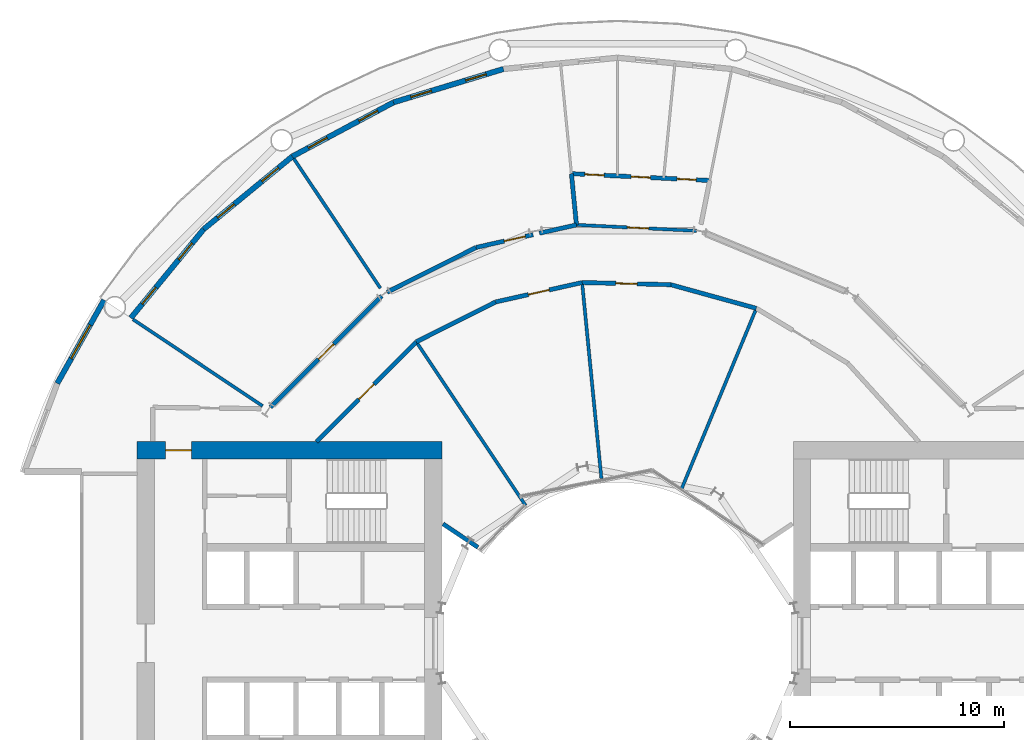
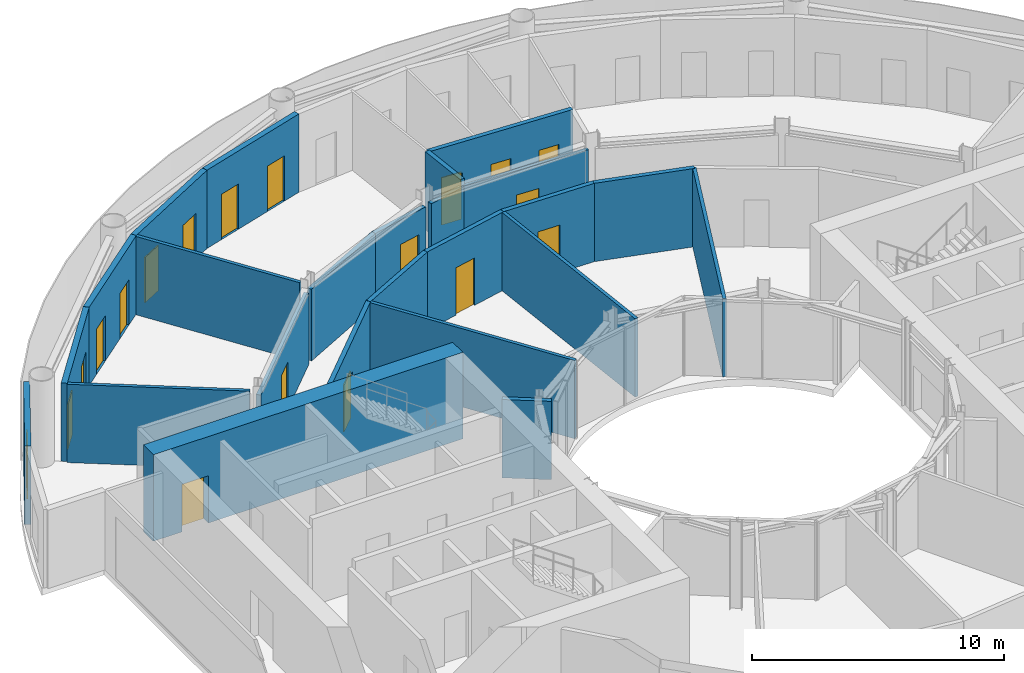
# One storey, part 14 of 19: 24 walls, 18 doors, 1 window, 19 openings.
"""IFC4 building model written with IfcOpenShell, lengths in metres."""

from ifc_helpers import new_model, si_unit, direction, frame, frame_2d, origin, place, context, subcontext, project, spatial, rectangle, extrude, material, layer, layer_set, type_object, element, fill, save


model = new_model("IFC4")

# Units and contexts
model_context = context("Model", 3, precision=1e-05, world=origin(), true_north=direction((0.0, 1.0)))
body_context = subcontext(model_context, "Body", "Model", "MODEL_VIEW")
ifc_project = project(units=[si_unit("LENGTHUNIT", "METRE"), si_unit("AREAUNIT", "SQUARE_METRE"), si_unit("VOLUMEUNIT", "CUBIC_METRE"), si_unit("PLANEANGLEUNIT", "RADIAN"), si_unit("MASSUNIT", "GRAM", prefix="KILO")], contexts=[model_context])

# Site, building, storey
site_placement = place(None, origin())
site = spatial("IfcSite", under=ifc_project, at=site_placement, CompositionType="ELEMENT")
building_placement = place(site_placement, origin())
building = spatial("IfcBuilding", under=site, at=building_placement, Name="Maasbend Ring Residences", CompositionType="ELEMENT")
storey_placement = place(building_placement, frame((0.0, 0.0, 53.300048828125)))
storey = spatial("IfcBuildingStorey", under=building, at=storey_placement, Name="L15", CompositionType="ELEMENT", Elevation=53.300048828125)

# Wall, opening, door
ifc_material_1 = material(Name="Concrete C70/85", Category="concrete")
ifc_layer_1 = layer(ifc_material_1, 0.800048828125)
ifc_layer_set_1 = layer_set([ifc_layer_1], Name="Concrete C70/85")
wall_type_1 = type_object("IfcWallType", Name="CORE WALL 800 C70/85", PredefinedType="SHEAR", material=ifc_layer_set_1)
wall_1_placement = place(storey_placement, frame((-8.199951171875, 9.0, 0.0), z_axis=(0.0, 0.0, 1.0), x_axis=(-1.0, 0.0, 0.0)))
wall_1 = element("IfcWall", 1, at=wall_1_placement, inside=storey, type_object=wall_type_1, Name="L15 core W wall PS", PredefinedType="SHEAR", context=body_context, shape_type="SweptSolid", body=[
    extrude(rectangle(XDim=14.199951171875, YDim=0.800048828125, at=frame_2d((7.10009765625, 0.0))), origin(), (0.0, 0.0, 1.0), 4.199951171875),
])
opening_1_placement = place(wall_1_placement, frame((11.675048828125, 0.0, 0.0)))
opening_1 = element("IfcOpeningElement", 2, at=opening_1_placement, cuts=wall_1, Name="Opening D-W1514", PredefinedType="OPENING", context=body_context, shape_type="SweptSolid", body=[
    extrude(rectangle(XDim=1.199951171875, YDim=2.300048828125, at=frame_2d((0.60009765625, 1.14990234375))), frame((0.0, 0.41015625, 0.0), z_axis=(0.0, -1.0, 0.0), x_axis=(1.0, 0.0, 0.0)), (0.0, 0.0, 1.0), 0.820068359375),
])
ifc_material_2 = material(Name="Steel, powder coated", Category="steel")
door_type_1 = type_object("IfcDoorType", Name="CORRIDOR DOOR 1200 X 2300 FD30S", OperationType="NOTDEFINED", PredefinedType="DOOR", material=ifc_material_2)
door_1_placement = place(opening_1_placement, origin())
door_1 = element("IfcDoor", 3, at=door_1_placement, inside=storey, type_object=door_type_1, Name="Corridor door L15", OperationType="SINGLE_SWING_LEFT", OverallHeight=2.300048828125, OverallWidth=1.199951171875, PredefinedType="DOOR", context=body_context, shape_type="SweptSolid", body=[
    extrude(rectangle(XDim=1.199951171875, YDim=2.300048828125, at=frame_2d((0.60009765625, 1.14990234375))), frame((0.0, 0.02490234375, 0.0), z_axis=(0.0, -1.0, 0.0), x_axis=(1.0, 0.0, 0.0)), (0.0, 0.0, 1.0), 0.050048828125),
])
fill(opening_1, door_1)

# Wall
ifc_material_3 = material(Name="Concrete C30/37", Category="concrete")
ifc_layer_2 = layer(ifc_material_3, 0.199951171875)
ifc_layer_set_2 = layer_set([ifc_layer_2], Name="Concrete C30/37")
wall_type_2 = type_object("IfcWallType", Name="CORRIDOR WALL 200 CONCRETE", PredefinedType="PARTITIONING", material=ifc_layer_set_2)
wall_2_placement = place(storey_placement, frame((-2.156005859375, 21.89404296875, 0.0), z_axis=(0.0, 0.0, 1.0), x_axis=(0.097982433599, -0.995188144376, 0.0)))
element("IfcWall", 4, at=wall_2_placement, inside=storey, type_object=wall_type_2, Name="U-L15-w038", PredefinedType="PARTITIONING", context=body_context, shape_type="SweptSolid", body=[
    extrude(rectangle(XDim=2.3994140625, YDim=0.199951171875, at=frame_2d((1.19970703125, 0.0))), origin(), (0.0, 0.0, 1.0), 3.800048828125),
])

# Wall, opening, door
wall_3_placement = place(storey_placement, frame((-14.041015625, 9.39990234375, 0.0), z_axis=(0.0, 0.0, 1.0), x_axis=(0.707106781187, 0.707106781187, 0.0)))
wall_3 = element("IfcWall", 5, at=wall_3_placement, inside=storey, type_object=wall_type_2, Name="U-L15-w054", PredefinedType="PARTITIONING", context=body_context, shape_type="SweptSolid", body=[
    extrude(rectangle(XDim=6.5791015625, YDim=0.199951171875, at=frame_2d((3.28955078125, 0.0))), origin(), (0.0, 0.0, 1.0), 3.800048828125),
])
opening_2_placement = place(wall_3_placement, frame((2.7890625, 0.0, 0.0)))
opening_2 = element("IfcOpeningElement", 6, at=opening_2_placement, cuts=wall_3, Name="Opening D-1515", PredefinedType="OPENING", context=body_context, shape_type="SweptSolid", body=[
    extrude(rectangle(XDim=1.0, YDim=2.300048828125, at=frame_2d((0.5, 1.14990234375))), frame((0.0, 0.10986328125, 0.0), z_axis=(0.0, -1.0, 0.0), x_axis=(1.0, 0.0, 0.0)), (0.0, 0.0, 1.0), 0.219970703125),
])
ifc_material_4 = material(Name="Timber, painted", Category="wood")
door_type_2 = type_object("IfcDoorType", Name="ROOM DOOR 1000 X 2300", OperationType="NOTDEFINED", PredefinedType="DOOR", material=ifc_material_4)
door_2_placement = place(opening_2_placement, origin())
door_2 = element("IfcDoor", 7, at=door_2_placement, inside=storey, type_object=door_type_2, Name="D-1515", OperationType="SINGLE_SWING_RIGHT", OverallHeight=2.300048828125, OverallWidth=1.0, PredefinedType="DOOR", context=body_context, shape_type="SweptSolid", body=[
    extrude(rectangle(XDim=1.0, YDim=2.300048828125, at=frame_2d((0.5, 1.14990234375))), frame((0.0, 0.02490234375, 0.0), z_axis=(0.0, -1.0, 0.0), x_axis=(1.0, 0.0, 0.0)), (0.0, 0.0, 1.0), 0.050048828125),
])
fill(opening_2, door_2)

# Wall
wall_4_placement = place(storey_placement, frame((-9.388916015625, 14.052001953125, 0.0), z_axis=(0.0, 0.0, 1.0), x_axis=(0.893243942099, 0.449572307759, 0.0)))
element("IfcWall", 8, at=wall_4_placement, inside=storey, type_object=wall_type_2, Name="U-L15-w057", PredefinedType="PARTITIONING", context=body_context, shape_type="SweptSolid", body=[
    extrude(rectangle(XDim=4.137451171875, YDim=0.199951171875, at=frame_2d((2.06884765625, 0.0))), origin(), (0.0, 0.0, 1.0), 3.800048828125),
])

# Wall, opening, door
wall_5_placement = place(storey_placement, frame((-5.693115234375, 15.912109375, 0.0), z_axis=(0.0, 0.0, 1.0), x_axis=(0.975680467384, 0.219197686039, 0.0)))
wall_5 = element("IfcWall", 9, at=wall_5_placement, inside=storey, type_object=wall_type_2, Name="U-L15-w058", PredefinedType="PARTITIONING", context=body_context, shape_type="SweptSolid", body=[
    extrude(rectangle(XDim=4.1376953125, YDim=0.199951171875, at=frame_2d((2.06884765625, 0.0))), origin(), (0.0, 0.0, 1.0), 3.800048828125),
])
opening_3_placement = place(wall_5_placement, frame((1.569091796875, 0.0, 0.0)))
opening_3 = element("IfcOpeningElement", 10, at=opening_3_placement, cuts=wall_5, Name="Opening D-1514", PredefinedType="OPENING", context=body_context, shape_type="SweptSolid", body=[
    extrude(rectangle(XDim=1.0, YDim=2.300048828125, at=frame_2d((0.5, 1.14990234375))), frame((0.0, 0.10986328125, 0.0), z_axis=(0.0, -1.0, 0.0), x_axis=(1.0, 0.0, 0.0)), (0.0, 0.0, 1.0), 0.219970703125),
])
door_3_placement = place(opening_3_placement, origin())
door_3 = element("IfcDoor", 11, at=door_3_placement, inside=storey, type_object=door_type_2, Name="D-1514", OperationType="SINGLE_SWING_RIGHT", OverallHeight=2.300048828125, OverallWidth=1.0, PredefinedType="DOOR", context=body_context, shape_type="SweptSolid", body=[
    extrude(rectangle(XDim=1.0, YDim=2.300048828125, at=frame_2d((0.5, 1.14990234375))), frame((0.0, 0.02490234375, 0.0), z_axis=(0.0, -1.0, 0.0), x_axis=(1.0, 0.0, 0.0)), (0.0, 0.0, 1.0), 0.050048828125),
])
fill(opening_3, door_3)

wall_6_placement = place(storey_placement, frame((-1.656005859375, 16.819091796875, 0.0), z_axis=(0.0, 0.0, 1.0), x_axis=(0.999695739034, -0.024666360836, 0.0)))
wall_6 = element("IfcWall", 12, at=wall_6_placement, inside=storey, type_object=wall_type_2, Name="U-L15-w059", PredefinedType="PARTITIONING", context=body_context, shape_type="SweptSolid", body=[
    extrude(rectangle(XDim=4.13720703125, YDim=0.199951171875, at=frame_2d((2.068603515625, 0.0))), origin(), (0.0, 0.0, 1.0), 3.800048828125),
])
opening_4_placement = place(wall_6_placement, frame((1.569091796875, 0.0, 0.0)))
opening_4 = element("IfcOpeningElement", 13, at=opening_4_placement, cuts=wall_6, Name="Opening D-1513", PredefinedType="OPENING", context=body_context, shape_type="SweptSolid", body=[
    extrude(rectangle(XDim=1.0, YDim=2.300048828125, at=frame_2d((0.5, 1.14990234375))), frame((0.0, 0.10986328125, 0.0), z_axis=(0.0, -1.0, 0.0), x_axis=(1.0, 0.0, 0.0)), (0.0, 0.0, 1.0), 0.219970703125),
])
door_4_placement = place(opening_4_placement, origin())
door_4 = element("IfcDoor", 14, at=door_4_placement, inside=storey, type_object=door_type_2, Name="D-1513", OperationType="SINGLE_SWING_LEFT", OverallHeight=2.300048828125, OverallWidth=1.0, PredefinedType="DOOR", context=body_context, shape_type="SweptSolid", body=[
    extrude(rectangle(XDim=1.0, YDim=2.300048828125, at=frame_2d((0.5, 1.14990234375))), frame((0.0, 0.02490234375, 0.0), z_axis=(0.0, -1.0, 0.0), x_axis=(1.0, 0.0, 0.0)), (0.0, 0.0, 1.0), 0.050048828125),
])
fill(opening_4, door_4)

# Wall
wall_7_placement = place(storey_placement, frame((2.47998046875, 16.717041015625, 0.0), z_axis=(0.0, 0.0, 1.0), x_axis=(0.96379724587, -0.266636210694, 0.0)))
element("IfcWall", 15, at=wall_7_placement, inside=storey, type_object=wall_type_2, Name="U-L15-w060", PredefinedType="PARTITIONING", context=body_context, shape_type="SweptSolid", body=[
    extrude(rectangle(XDim=4.13671875, YDim=0.199951171875, at=frame_2d((2.068359375, 0.0))), origin(), (0.0, 0.0, 1.0), 3.800048828125),
])

# Wall, opening, door
wall_8_placement = place(storey_placement, frame((-16.18701171875, 10.9990234375, 0.0), z_axis=(0.0, 0.0, 1.0), x_axis=(0.707106781187, 0.707106781187, 0.0)))
wall_8 = element("IfcWall", 16, at=wall_8_placement, inside=storey, type_object=wall_type_2, Name="U-L15-w061", PredefinedType="PARTITIONING", context=body_context, shape_type="SweptSolid", body=[
    extrude(rectangle(XDim=7.3369140625, YDim=0.199951171875, at=frame_2d((3.66845703125, 0.0))), origin(), (0.0, 0.0, 1.0), 3.47998046875),
])
opening_5_placement = place(wall_8_placement, frame((3.16796875, 0.0, 0.0)))
opening_5 = element("IfcOpeningElement", 17, at=opening_5_placement, cuts=wall_8, Name="Opening D-1511", PredefinedType="OPENING", context=body_context, shape_type="SweptSolid", body=[
    extrude(rectangle(XDim=1.0, YDim=2.300048828125, at=frame_2d((0.5, 1.14990234375))), frame((0.0, 0.10986328125, 0.0), z_axis=(0.0, -1.0, 0.0), x_axis=(1.0, 0.0, 0.0)), (0.0, 0.0, 1.0), 0.219970703125),
])
door_5_placement = place(opening_5_placement, origin())
door_5 = element("IfcDoor", 18, at=door_5_placement, inside=storey, type_object=door_type_2, Name="D-1511", OperationType="SINGLE_SWING_RIGHT", OverallHeight=2.300048828125, OverallWidth=1.0, PredefinedType="DOOR", context=body_context, shape_type="SweptSolid", body=[
    extrude(rectangle(XDim=1.0, YDim=2.300048828125, at=frame_2d((0.5, 1.14990234375))), frame((0.0, 0.02490234375, 0.0), z_axis=(0.0, -1.0, 0.0), x_axis=(1.0, 0.0, 0.0)), (0.0, 0.0, 1.0), 0.050048828125),
])
fill(opening_5, door_5)

# Wall
wall_9_placement = place(storey_placement, frame((-10.751953125, 16.365966796875, 0.0), z_axis=(0.0, 0.0, 1.0), x_axis=(0.893246691773, 0.449566844459, 0.0)))
element("IfcWall", 19, at=wall_9_placement, inside=storey, type_object=wall_type_2, Name="U-L15-w065", PredefinedType="PARTITIONING", context=body_context, shape_type="SweptSolid", body=[
    extrude(rectangle(XDim=4.644775390625, YDim=0.199951171875, at=frame_2d((2.322265625, 0.0))), origin(), (0.0, 0.0, 1.0), 3.47998046875),
])

# Wall, opening, door
wall_10_placement = place(storey_placement, frame((-6.60302734375, 18.4541015625, 0.0), z_axis=(0.0, 0.0, 1.0), x_axis=(0.975697485794, 0.219121920893, 0.0)))
wall_10 = element("IfcWall", 20, at=wall_10_placement, inside=storey, type_object=wall_type_2, Name="U-L15-w066", PredefinedType="PARTITIONING", context=body_context, shape_type="SweptSolid", body=[
    extrude(rectangle(XDim=2.72412109375, YDim=0.199951171875, at=frame_2d((1.362060546875, 0.0))), origin(), (0.0, 0.0, 1.0), 3.47998046875),
])
opening_6_placement = place(wall_10_placement, frame((1.35009765625, 0.0, 0.0)))
opening_6 = element("IfcOpeningElement", 21, at=opening_6_placement, cuts=wall_10, Name="Opening D-1510", PredefinedType="OPENING", context=body_context, shape_type="SweptSolid", body=[
    extrude(rectangle(XDim=1.0, YDim=2.300048828125, at=frame_2d((0.5, 1.14990234375))), frame((0.0, 0.10986328125, 0.0), z_axis=(0.0, -1.0, 0.0), x_axis=(1.0, 0.0, 0.0)), (0.0, 0.0, 1.0), 0.219970703125),
])
door_6_placement = place(opening_6_placement, origin())
door_6 = element("IfcDoor", 22, at=door_6_placement, inside=storey, type_object=door_type_2, Name="D-1510", OperationType="SINGLE_SWING_RIGHT", OverallHeight=2.300048828125, OverallWidth=1.0, PredefinedType="DOOR", context=body_context, shape_type="SweptSolid", body=[
    extrude(rectangle(XDim=1.0, YDim=2.300048828125, at=frame_2d((0.5, 1.14990234375))), frame((0.0, 0.02490234375, 0.0), z_axis=(0.0, -1.0, 0.0), x_axis=(1.0, 0.0, 0.0)), (0.0, 0.0, 1.0), 0.050048828125),
])
fill(opening_6, door_6)

# Wall
wall_11_placement = place(storey_placement, frame((-3.64697265625, 19.117919921875, 0.0), z_axis=(0.0, 0.0, 1.0), x_axis=(0.975631915864, 0.219413684049, 0.0)))
element("IfcWall", 23, at=wall_11_placement, inside=storey, type_object=wall_type_2, Name="U-L15-w067", PredefinedType="PARTITIONING", context=body_context, shape_type="SweptSolid", body=[
    extrude(rectangle(XDim=1.769287109375, YDim=0.199951171875, at=frame_2d((0.884765625, 0.0))), origin(), (0.0, 0.0, 1.0), 3.47998046875),
])

# Wall, openings, doors
wall_12_placement = place(storey_placement, frame((-2.156005859375, 21.89404296875, 0.0), z_axis=(0.0, 0.0, 1.0), x_axis=(0.998785221138, -0.049275572418, 0.0)))
wall_12 = element("IfcWall", 24, at=wall_12_placement, inside=storey, type_object=wall_type_2, Name="U-L15-w070", PredefinedType="PARTITIONING", context=body_context, shape_type="SweptSolid", body=[
    extrude(rectangle(XDim=6.455810546875, YDim=0.199951171875, at=frame_2d((3.22802734375, 0.0))), origin(), (0.0, 0.0, 1.0), 3.800048828125),
])
opening_7_placement = place(wall_12_placement, frame((4.929931640625, 0.0, 0.0)))
opening_7 = element("IfcOpeningElement", 25, at=opening_7_placement, cuts=wall_12, Name="Opening D-1502", PredefinedType="OPENING", context=body_context, shape_type="SweptSolid", body=[
    extrude(rectangle(XDim=0.89990234375, YDim=2.300048828125, at=frame_2d((0.449951171875, 1.14990234375))), frame((0.0, 0.10986328125, 0.0), z_axis=(0.0, -1.0, 0.0), x_axis=(1.0, 0.0, 0.0)), (0.0, 0.0, 1.0), 0.219970703125),
])
opening_8_placement = place(wall_12_placement, frame((2.7880859375, 0.0, 0.0)))
opening_8 = element("IfcOpeningElement", 26, at=opening_8_placement, cuts=wall_12, Name="Opening D-1503", PredefinedType="OPENING", context=body_context, shape_type="SweptSolid", body=[
    extrude(rectangle(XDim=0.89990234375, YDim=2.300048828125, at=frame_2d((0.449951171875, 1.14990234375))), frame((0.0, 0.10986328125, 0.0), z_axis=(0.0, -1.0, 0.0), x_axis=(1.0, 0.0, 0.0)), (0.0, 0.0, 1.0), 0.219970703125),
])
opening_9_placement = place(wall_12_placement, frame((0.6259765625, 0.0, 0.0)))
opening_9 = element("IfcOpeningElement", 27, at=opening_9_placement, cuts=wall_12, Name="Opening D-1504", PredefinedType="OPENING", context=body_context, shape_type="SweptSolid", body=[
    extrude(rectangle(XDim=0.89990234375, YDim=2.300048828125, at=frame_2d((0.449951171875, 1.14990234375))), frame((0.0, 0.10986328125, 0.0), z_axis=(0.0, -1.0, 0.0), x_axis=(1.0, 0.0, 0.0)), (0.0, 0.0, 1.0), 0.219970703125),
])
ifc_material_5 = material(Name="Timber, painted", Category="wood")
door_type_3 = type_object("IfcDoorType", Name="INTERNAL DOOR 900 X 2300", OperationType="NOTDEFINED", PredefinedType="DOOR", material=ifc_material_5)
door_7_placement = place(opening_7_placement, origin())
door_7 = element("IfcDoor", 28, at=door_7_placement, inside=storey, type_object=door_type_3, Name="D-1502", OperationType="SINGLE_SWING_RIGHT", OverallHeight=2.300048828125, OverallWidth=0.89990234375, PredefinedType="DOOR", context=body_context, shape_type="SweptSolid", body=[
    extrude(rectangle(XDim=0.89990234375, YDim=2.300048828125, at=frame_2d((0.449951171875, 1.14990234375))), frame((0.0, 0.02490234375, 0.0), z_axis=(0.0, -1.0, 0.0), x_axis=(1.0, 0.0, 0.0)), (0.0, 0.0, 1.0), 0.050048828125),
])
fill(opening_7, door_7)
door_8_placement = place(opening_8_placement, origin())
door_8 = element("IfcDoor", 29, at=door_8_placement, inside=storey, type_object=door_type_3, Name="D-1503", OperationType="SINGLE_SWING_RIGHT", OverallHeight=2.300048828125, OverallWidth=0.89990234375, PredefinedType="DOOR", context=body_context, shape_type="SweptSolid", body=[
    extrude(rectangle(XDim=0.89990234375, YDim=2.300048828125, at=frame_2d((0.449951171875, 1.14990234375))), frame((0.0, 0.02490234375, 0.0), z_axis=(0.0, -1.0, 0.0), x_axis=(1.0, 0.0, 0.0)), (0.0, 0.0, 1.0), 0.050048828125),
])
fill(opening_8, door_8)
door_9_placement = place(opening_9_placement, origin())
door_9 = element("IfcDoor", 30, at=door_9_placement, inside=storey, type_object=door_type_3, Name="D-1504", OperationType="SINGLE_SWING_LEFT", OverallHeight=2.300048828125, OverallWidth=0.89990234375, PredefinedType="DOOR", context=body_context, shape_type="SweptSolid", body=[
    extrude(rectangle(XDim=0.89990234375, YDim=2.300048828125, at=frame_2d((0.449951171875, 1.14990234375))), frame((0.0, 0.02490234375, 0.0), z_axis=(0.0, -1.0, 0.0), x_axis=(1.0, 0.0, 0.0)), (0.0, 0.0, 1.0), 0.050048828125),
])
fill(opening_9, door_9)

ifc_material_6 = material(Name="Aluminium clad insulated panel", Category="aluminium")
ifc_layer_3 = layer(ifc_material_6, 0.25)
ifc_layer_set_3 = layer_set([ifc_layer_3], Name="EW-GL")
wall_type_3 = type_object("IfcWallType", Name="EW-GL", PredefinedType="SOLIDWALL", material=ifc_layer_set_3)
wall_13_placement = place(storey_placement, frame((-5.325927734375, 26.77490234375, 0.0), z_axis=(0.0, 0.0, 1.0), x_axis=(-0.956965678721, -0.290201119486, 0.0)))
wall_13 = element("IfcWall", 31, at=wall_13_placement, inside=storey, type_object=wall_type_3, Name="External wall N07", PredefinedType="SOLIDWALL", context=body_context, shape_type="SweptSolid", body=[
    extrude(rectangle(XDim=5.351318359375, YDim=0.25, at=frame_2d((2.67578125, 0.0))), origin(), (0.0, 0.0, 1.0), 3.800048828125),
])
opening_10_placement = place(wall_13_placement, frame((0.841064453125, 0.0, 0.0)))
opening_10 = element("IfcOpeningElement", 32, at=opening_10_placement, cuts=wall_13, Name="Opening D-LG", PredefinedType="OPENING", context=body_context, shape_type="SweptSolid", body=[
    extrude(rectangle(XDim=1.0, YDim=2.199951171875, at=frame_2d((0.5, 1.10009765625))), frame((0.0, 0.135009765625, 0.0), z_axis=(0.0, -1.0, 0.0), x_axis=(1.0, 0.0, 0.0)), (0.0, 0.0, 1.0), 0.27001953125),
])
opening_11_placement = place(wall_13_placement, frame((3.510498046875, 0.0, 0.0)))
opening_11 = element("IfcOpeningElement", 33, at=opening_11_placement, cuts=wall_13, Name="Opening D-LG", PredefinedType="OPENING", context=body_context, shape_type="SweptSolid", body=[
    extrude(rectangle(XDim=1.0, YDim=2.199951171875, at=frame_2d((0.5, 1.10009765625))), frame((0.0, 0.135009765625, 0.0), z_axis=(0.0, -1.0, 0.0), x_axis=(1.0, 0.0, 0.0)), (0.0, 0.0, 1.0), 0.27001953125),
])
ifc_material_7 = material(Name="Aluminium and clear glass", Category="aluminium")
door_type_4 = type_object("IfcDoorType", Name="D-LG", OperationType="SINGLE_SWING_LEFT", PredefinedType="DOOR", material=ifc_material_7)
door_10_placement = place(opening_10_placement, origin())
door_10 = element("IfcDoor", 34, at=door_10_placement, inside=storey, type_object=door_type_4, Name="Loggia door N13", OperationType="SINGLE_SWING_LEFT", OverallHeight=2.199951171875, OverallWidth=1.0, PredefinedType="DOOR", context=body_context, shape_type="SweptSolid", body=[
    extrude(rectangle(XDim=1.0, YDim=2.199951171875, at=frame_2d((0.5, 1.10009765625))), frame((0.0, 0.02490234375, 0.0), z_axis=(0.0, -1.0, 0.0), x_axis=(1.0, 0.0, 0.0)), (0.0, 0.0, 1.0), 0.050048828125),
])
fill(opening_10, door_10)
door_11_placement = place(opening_11_placement, origin())
door_11 = element("IfcDoor", 35, at=door_11_placement, inside=storey, type_object=door_type_4, Name="Loggia door N14", OperationType="SINGLE_SWING_LEFT", OverallHeight=2.199951171875, OverallWidth=1.0, PredefinedType="DOOR", context=body_context, shape_type="SweptSolid", body=[
    extrude(rectangle(XDim=1.0, YDim=2.199951171875, at=frame_2d((0.5, 1.10009765625))), frame((0.0, 0.02490234375, 0.0), z_axis=(0.0, -1.0, 0.0), x_axis=(1.0, 0.0, 0.0)), (0.0, 0.0, 1.0), 0.050048828125),
])
fill(opening_11, door_11)

wall_14_placement = place(storey_placement, frame((-10.447021484375, 25.221923828125, 0.0), z_axis=(0.0, 0.0, 1.0), x_axis=(-0.881915646801, -0.471407246368, 0.0)))
wall_14 = element("IfcWall", 36, at=wall_14_placement, inside=storey, type_object=wall_type_3, Name="External wall N08", PredefinedType="SOLIDWALL", context=body_context, shape_type="SweptSolid", body=[
    extrude(rectangle(XDim=5.35205078125, YDim=0.25, at=frame_2d((2.676025390625, 0.0))), origin(), (0.0, 0.0, 1.0), 3.800048828125),
])
opening_12_placement = place(wall_14_placement, frame((0.841064453125, 0.0, 0.0)))
opening_12 = element("IfcOpeningElement", 37, at=opening_12_placement, cuts=wall_14, Name="Opening D-LG", PredefinedType="OPENING", context=body_context, shape_type="SweptSolid", body=[
    extrude(rectangle(XDim=1.0, YDim=2.199951171875, at=frame_2d((0.5, 1.10009765625))), frame((0.0, 0.135009765625, 0.0), z_axis=(0.0, -1.0, 0.0), x_axis=(1.0, 0.0, 0.0)), (0.0, 0.0, 1.0), 0.27001953125),
])
opening_13_placement = place(wall_14_placement, frame((3.510498046875, 0.0, 0.0)))
opening_13 = element("IfcOpeningElement", 38, at=opening_13_placement, cuts=wall_14, Name="Opening D-LG", PredefinedType="OPENING", context=body_context, shape_type="SweptSolid", body=[
    extrude(rectangle(XDim=1.0, YDim=2.199951171875, at=frame_2d((0.5, 1.10009765625))), frame((0.0, 0.135009765625, 0.0), z_axis=(0.0, -1.0, 0.0), x_axis=(1.0, 0.0, 0.0)), (0.0, 0.0, 1.0), 0.27001953125),
])
door_12_placement = place(opening_12_placement, origin())
door_12 = element("IfcDoor", 39, at=door_12_placement, inside=storey, type_object=door_type_4, Name="Loggia door N15", OperationType="SINGLE_SWING_LEFT", OverallHeight=2.199951171875, OverallWidth=1.0, PredefinedType="DOOR", context=body_context, shape_type="SweptSolid", body=[
    extrude(rectangle(XDim=1.0, YDim=2.199951171875, at=frame_2d((0.5, 1.10009765625))), frame((0.0, 0.02490234375, 0.0), z_axis=(0.0, -1.0, 0.0), x_axis=(1.0, 0.0, 0.0)), (0.0, 0.0, 1.0), 0.050048828125),
])
fill(opening_12, door_12)
door_13_placement = place(opening_13_placement, origin())
door_13 = element("IfcDoor", 40, at=door_13_placement, inside=storey, type_object=door_type_4, Name="Loggia door N16", OperationType="SINGLE_SWING_LEFT", OverallHeight=2.199951171875, OverallWidth=1.0, PredefinedType="DOOR", context=body_context, shape_type="SweptSolid", body=[
    extrude(rectangle(XDim=1.0, YDim=2.199951171875, at=frame_2d((0.5, 1.10009765625))), frame((0.0, 0.02490234375, 0.0), z_axis=(0.0, -1.0, 0.0), x_axis=(1.0, 0.0, 0.0)), (0.0, 0.0, 1.0), 0.050048828125),
])
fill(opening_13, door_13)

wall_15_placement = place(storey_placement, frame((-15.1669921875, 22.698974609375, 0.0), z_axis=(0.0, 0.0, 1.0), x_axis=(-0.773019449054, -0.634382322723, 0.0)))
wall_15 = element("IfcWall", 41, at=wall_15_placement, inside=storey, type_object=wall_type_3, Name="External wall N09", PredefinedType="SOLIDWALL", context=body_context, shape_type="SweptSolid", body=[
    extrude(rectangle(XDim=5.351806640625, YDim=0.25, at=frame_2d((2.67578125, 0.0))), origin(), (0.0, 0.0, 1.0), 3.800048828125),
])
opening_14_placement = place(wall_15_placement, frame((0.841064453125, 0.0, 0.0)))
opening_14 = element("IfcOpeningElement", 42, at=opening_14_placement, cuts=wall_15, Name="Opening D-LG", PredefinedType="OPENING", context=body_context, shape_type="SweptSolid", body=[
    extrude(rectangle(XDim=1.0, YDim=2.199951171875, at=frame_2d((0.5, 1.10009765625))), frame((0.0, 0.135009765625, 0.0), z_axis=(0.0, -1.0, 0.0), x_axis=(1.0, 0.0, 0.0)), (0.0, 0.0, 1.0), 0.27001953125),
])
opening_15_placement = place(wall_15_placement, frame((3.510498046875, 0.0, 0.0)))
opening_15 = element("IfcOpeningElement", 43, at=opening_15_placement, cuts=wall_15, Name="Opening D-LG", PredefinedType="OPENING", context=body_context, shape_type="SweptSolid", body=[
    extrude(rectangle(XDim=1.0, YDim=2.199951171875, at=frame_2d((0.5, 1.10009765625))), frame((0.0, 0.135009765625, 0.0), z_axis=(0.0, -1.0, 0.0), x_axis=(1.0, 0.0, 0.0)), (0.0, 0.0, 1.0), 0.27001953125),
])
door_14_placement = place(opening_14_placement, origin())
door_14 = element("IfcDoor", 44, at=door_14_placement, inside=storey, type_object=door_type_4, Name="Loggia door N17", OperationType="SINGLE_SWING_LEFT", OverallHeight=2.199951171875, OverallWidth=1.0, PredefinedType="DOOR", context=body_context, shape_type="SweptSolid", body=[
    extrude(rectangle(XDim=1.0, YDim=2.199951171875, at=frame_2d((0.5, 1.10009765625))), frame((0.0, 0.02490234375, 0.0), z_axis=(0.0, -1.0, 0.0), x_axis=(1.0, 0.0, 0.0)), (0.0, 0.0, 1.0), 0.050048828125),
])
fill(opening_14, door_14)
door_15_placement = place(opening_15_placement, origin())
door_15 = element("IfcDoor", 45, at=door_15_placement, inside=storey, type_object=door_type_4, Name="Loggia door N18", OperationType="SINGLE_SWING_LEFT", OverallHeight=2.199951171875, OverallWidth=1.0, PredefinedType="DOOR", context=body_context, shape_type="SweptSolid", body=[
    extrude(rectangle(XDim=1.0, YDim=2.199951171875, at=frame_2d((0.5, 1.10009765625))), frame((0.0, 0.02490234375, 0.0), z_axis=(0.0, -1.0, 0.0), x_axis=(1.0, 0.0, 0.0)), (0.0, 0.0, 1.0), 0.050048828125),
])
fill(opening_15, door_15)

wall_16_placement = place(storey_placement, frame((-19.303955078125, 19.303955078125, 0.0), z_axis=(0.0, 0.0, 1.0), x_axis=(-0.634382322723, -0.773019449054, 0.0)))
wall_16 = element("IfcWall", 46, at=wall_16_placement, inside=storey, type_object=wall_type_3, Name="External wall N10", PredefinedType="SOLIDWALL", context=body_context, shape_type="SweptSolid", body=[
    extrude(rectangle(XDim=5.351806640625, YDim=0.25, at=frame_2d((2.67578125, 0.0))), origin(), (0.0, 0.0, 1.0), 3.800048828125),
])
opening_16_placement = place(wall_16_placement, frame((0.841064453125, 0.0, 0.0)))
opening_16 = element("IfcOpeningElement", 47, at=opening_16_placement, cuts=wall_16, Name="Opening D-LG", PredefinedType="OPENING", context=body_context, shape_type="SweptSolid", body=[
    extrude(rectangle(XDim=1.0, YDim=2.199951171875, at=frame_2d((0.5, 1.10009765625))), frame((0.0, 0.135009765625, 0.0), z_axis=(0.0, -1.0, 0.0), x_axis=(1.0, 0.0, 0.0)), (0.0, 0.0, 1.0), 0.27001953125),
])
opening_17_placement = place(wall_16_placement, frame((3.510498046875, 0.0, 0.0)))
opening_17 = element("IfcOpeningElement", 48, at=opening_17_placement, cuts=wall_16, Name="Opening D-LG", PredefinedType="OPENING", context=body_context, shape_type="SweptSolid", body=[
    extrude(rectangle(XDim=1.0, YDim=2.199951171875, at=frame_2d((0.5, 1.10009765625))), frame((0.0, 0.135009765625, 0.0), z_axis=(0.0, -1.0, 0.0), x_axis=(1.0, 0.0, 0.0)), (0.0, 0.0, 1.0), 0.27001953125),
])
door_16_placement = place(opening_16_placement, origin())
door_16 = element("IfcDoor", 49, at=door_16_placement, inside=storey, type_object=door_type_4, Name="Loggia door N19", OperationType="SINGLE_SWING_LEFT", OverallHeight=2.199951171875, OverallWidth=1.0, PredefinedType="DOOR", context=body_context, shape_type="SweptSolid", body=[
    extrude(rectangle(XDim=1.0, YDim=2.199951171875, at=frame_2d((0.5, 1.10009765625))), frame((0.0, 0.02490234375, 0.0), z_axis=(0.0, -1.0, 0.0), x_axis=(1.0, 0.0, 0.0)), (0.0, 0.0, 1.0), 0.050048828125),
])
fill(opening_16, door_16)
door_17_placement = place(opening_17_placement, origin())
door_17 = element("IfcDoor", 50, at=door_17_placement, inside=storey, type_object=door_type_4, Name="Loggia door N20", OperationType="SINGLE_SWING_LEFT", OverallHeight=2.199951171875, OverallWidth=1.0, PredefinedType="DOOR", context=body_context, shape_type="SweptSolid", body=[
    extrude(rectangle(XDim=1.0, YDim=2.199951171875, at=frame_2d((0.5, 1.10009765625))), frame((0.0, 0.02490234375, 0.0), z_axis=(0.0, -1.0, 0.0), x_axis=(1.0, 0.0, 0.0)), (0.0, 0.0, 1.0), 0.050048828125),
])
fill(opening_17, door_17)

# Wall, opening, window
ifc_material_8 = material(Name="Aluminium clad insulated panel", Category="aluminium")
ifc_layer_4 = layer(ifc_material_8, 0.25)
ifc_layer_set_4 = layer_set([ifc_layer_4], Name="EW-HORN")
wall_type_4 = type_object("IfcWallType", Name="EW-HORN", PredefinedType="SOLIDWALL", material=ifc_layer_set_4)
wall_17_placement = place(storey_placement, frame((-23.946044921875, 16.0, 0.0), z_axis=(0.0, 0.0, 1.0), x_axis=(-0.489696356642, -0.871893042919, 0.0)))
wall_17 = element("IfcWall", 51, at=wall_17_placement, inside=storey, type_object=wall_type_4, Name="Horn wall 4.1", PredefinedType="SOLIDWALL", context=body_context, shape_type="SweptSolid", body=[
    extrude(rectangle(XDim=4.45361328125, YDim=0.25, at=frame_2d((2.226806640625, 0.0))), origin(), (0.0, 0.0, 1.0), 3.800048828125),
])
opening_18_placement = place(wall_17_placement, frame((1.32666015625, 0.0, 0.300048828125)))
opening_18 = element("IfcOpeningElement", 52, at=opening_18_placement, cuts=wall_17, Name="Opening W-BX", PredefinedType="OPENING", context=body_context, shape_type="SweptSolid", body=[
    extrude(rectangle(XDim=1.800048828125, YDim=2.10009765625, at=frame_2d((0.89990234375, 1.050048828125))), frame((0.0, 0.135009765625, 0.0), z_axis=(0.0, -1.0, 0.0), x_axis=(1.0, 0.0, 0.0)), (0.0, 0.0, 1.0), 0.27001953125),
])
ifc_material_9 = material(Name="Aluminium and clear glass", Category="aluminium")
window_type = type_object("IfcWindowType", Name="W-BX", PartitioningType="DOUBLE_PANEL_VERTICAL", PredefinedType="WINDOW", material=ifc_material_9)
window_placement = place(opening_18_placement, origin())
window = element("IfcWindow", 53, at=window_placement, inside=storey, type_object=window_type, Name="Horn window 4.1", OverallHeight=2.10009765625, OverallWidth=1.800048828125, PartitioningType="SINGLE_PANEL", PredefinedType="WINDOW", context=body_context, shape_type="SweptSolid", body=[
    extrude(rectangle(XDim=1.800048828125, YDim=2.10009765625, at=frame_2d((0.89990234375, 1.050048828125))), frame((0.0, 0.030029296875, 0.0), z_axis=(0.0, -1.0, 0.0), x_axis=(1.0, 0.0, 0.0)), (0.0, 0.0, 1.0), 0.06005859375),
])
fill(opening_18, window)

# Walls
ifc_material_10 = material(Name="Gypsum board on steel studs", Category="steel")
ifc_layer_5 = layer(ifc_material_10, 0.14990234375)
ifc_layer_set_5 = layer_set([ifc_layer_5], Name="PARTITION 150 GYPSUM")
wall_type_5 = type_object("IfcWallType", Name="PARTITION 150 GYPSUM", PredefinedType="PARTITIONING", material=ifc_layer_set_5)
wall_18_placement = place(storey_placement, frame((-22.594970703125, 15.097900390625, 0.0), z_axis=(0.0, 0.0, 1.0), x_axis=(0.831403467378, -0.55566921314, 0.0)))
element("IfcWall", 54, at=wall_18_placement, inside=storey, type_object=wall_type_5, Name="U-L15-w026", PredefinedType="PARTITIONING", context=body_context, shape_type="SweptSolid", body=[
    extrude(rectangle(XDim=7.264892578125, YDim=0.14990234375, at=frame_2d((3.63232421875, 0.0))), origin(), (0.0, 0.0, 1.0), 3.800048828125),
])
wall_19_placement = place(storey_placement, frame((-15.096923828125, 22.594970703125, 0.0), z_axis=(0.0, 0.0, 1.0), x_axis=(0.555576285599, -0.831465568067, 0.0)))
element("IfcWall", 55, at=wall_19_placement, inside=storey, type_object=wall_type_5, Name="U-L15-w028", PredefinedType="PARTITIONING", context=body_context, shape_type="SweptSolid", body=[
    extrude(rectangle(XDim=7.264404296875, YDim=0.14990234375, at=frame_2d((3.63232421875, 0.0))), origin(), (0.0, 0.0, 1.0), 3.800048828125),
])
wall_20_placement = place(storey_placement, frame((-9.388916015625, 14.052001953125, 0.0), z_axis=(0.0, 0.0, 1.0), x_axis=(0.555540720778, -0.831489330994, 0.0)))
element("IfcWall", 56, at=wall_20_placement, inside=storey, type_object=wall_type_5, Name="U-L15-w032", PredefinedType="PARTITIONING", context=body_context, shape_type="SweptSolid", body=[
    extrude(rectangle(XDim=9.179931640625, YDim=0.14990234375, at=frame_2d((4.58984375, 0.0))), origin(), (0.0, 0.0, 1.0), 3.800048828125),
])
wall_21_placement = place(storey_placement, frame((-1.656982421875, 16.819091796875, 0.0), z_axis=(0.0, 0.0, 1.0), x_axis=(0.097921086551, -0.995194182463, 0.0)))
element("IfcWall", 57, at=wall_21_placement, inside=storey, type_object=wall_type_5, Name="U-L15-w039", PredefinedType="PARTITIONING", context=body_context, shape_type="SweptSolid", body=[
    extrude(rectangle(XDim=9.18017578125, YDim=0.14990234375, at=frame_2d((4.590087890625, 0.0))), origin(), (0.0, 0.0, 1.0), 3.800048828125),
])
wall_22_placement = place(storey_placement, frame((2.9541015625, 7.132080078125, 0.0), z_axis=(0.0, 0.0, 1.0), x_axis=(0.382646942224, 0.923894646378, 0.0)))
element("IfcWall", 58, at=wall_22_placement, inside=storey, type_object=wall_type_5, Name="U-L15-w043", PredefinedType="PARTITIONING", context=body_context, shape_type="SweptSolid", body=[
    extrude(rectangle(XDim=9.1806640625, YDim=0.14990234375, at=frame_2d((4.59033203125, 0.0))), origin(), (0.0, 0.0, 1.0), 3.800048828125),
])

# Wall, opening, door
wall_23_placement = place(storey_placement, frame((-1.9208984375, 19.506103515625, 0.0), z_axis=(0.0, 0.0, 1.0), x_axis=(0.99879118777, -0.049154483346, 0.0)))
wall_23 = element("IfcWall", 59, at=wall_23_placement, inside=storey, type_object=wall_type_5, Name="U-L15-w064", PredefinedType="PARTITIONING", context=body_context, shape_type="SweptSolid", body=[
    extrude(rectangle(XDim=5.59765625, YDim=0.14990234375, at=frame_2d((2.798828125, 0.0))), origin(), (0.0, 0.0, 1.0), 3.47998046875),
])
opening_19_placement = place(wall_23_placement, frame((2.3759765625, 0.0, 0.0)))
opening_19 = element("IfcOpeningElement", 60, at=opening_19_placement, cuts=wall_23, Name="Opening D-1501", PredefinedType="OPENING", context=body_context, shape_type="SweptSolid", body=[
    extrude(rectangle(XDim=1.0, YDim=2.300048828125, at=frame_2d((0.5, 1.14990234375))), frame((0.0, 0.0849609375, 0.0), z_axis=(0.0, -1.0, 0.0), x_axis=(1.0, 0.0, 0.0)), (0.0, 0.0, 1.0), 0.169921875),
])
door_18_placement = place(opening_19_placement, origin())
door_18 = element("IfcDoor", 61, at=door_18_placement, inside=storey, type_object=door_type_2, Name="D-1501", OperationType="SINGLE_SWING_RIGHT", OverallHeight=2.300048828125, OverallWidth=1.0, PredefinedType="DOOR", context=body_context, shape_type="SweptSolid", body=[
    extrude(rectangle(XDim=1.0, YDim=2.300048828125, at=frame_2d((0.5, 1.14990234375))), frame((0.0, 0.02490234375, 0.0), z_axis=(0.0, -1.0, 0.0), x_axis=(1.0, 0.0, 0.0)), (0.0, 0.0, 1.0), 0.050048828125),
])
fill(opening_19, door_18)

# Wall
ifc_material_11 = material(Name="Concrete C30/37", Category="concrete")
ifc_layer_6 = layer(ifc_material_11, 0.199951171875)
ifc_layer_set_6 = layer_set([ifc_layer_6], Name="Concrete C30/37")
wall_type_6 = type_object("IfcWallType", Name="PARTY WALL 200 CONCRETE", PredefinedType="PARTITIONING", material=ifc_layer_set_6)
wall_24_placement = place(storey_placement, frame((-6.512939453125, 4.471923828125, 0.0), z_axis=(0.0, 0.0, 1.0), x_axis=(-0.831417956244, 0.555647533996, 0.0)))
element("IfcWall", 62, at=wall_24_placement, inside=storey, type_object=wall_type_6, Name="U-L15-w050", PredefinedType="PARTITIONING", context=body_context, shape_type="SweptSolid", body=[
    extrude(rectangle(XDim=1.9619140625, YDim=0.199951171875, at=frame_2d((0.98095703125, 0.0))), origin(), (0.0, 0.0, 1.0), 3.800048828125),
])

save(model, "model.ifc")
